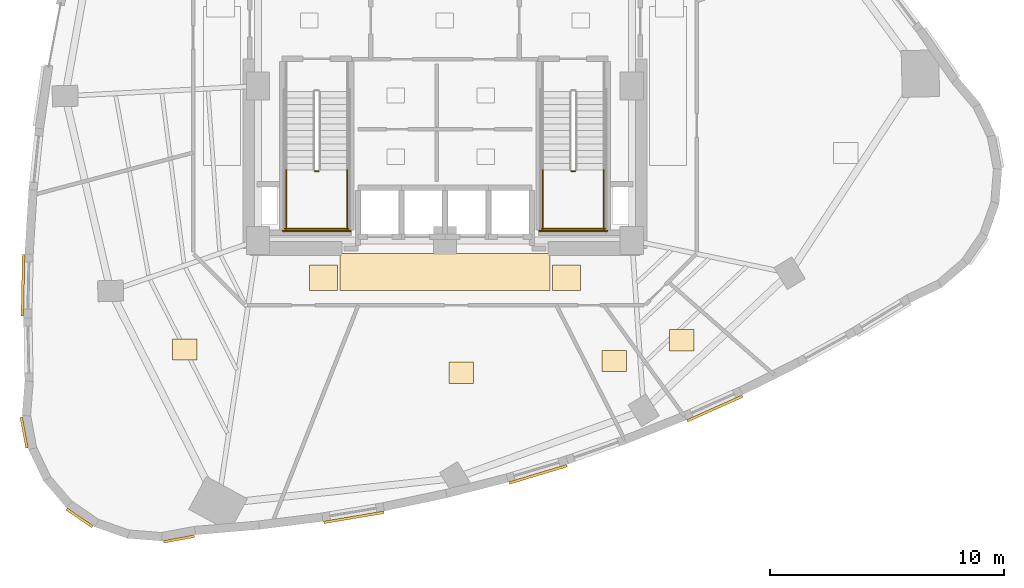
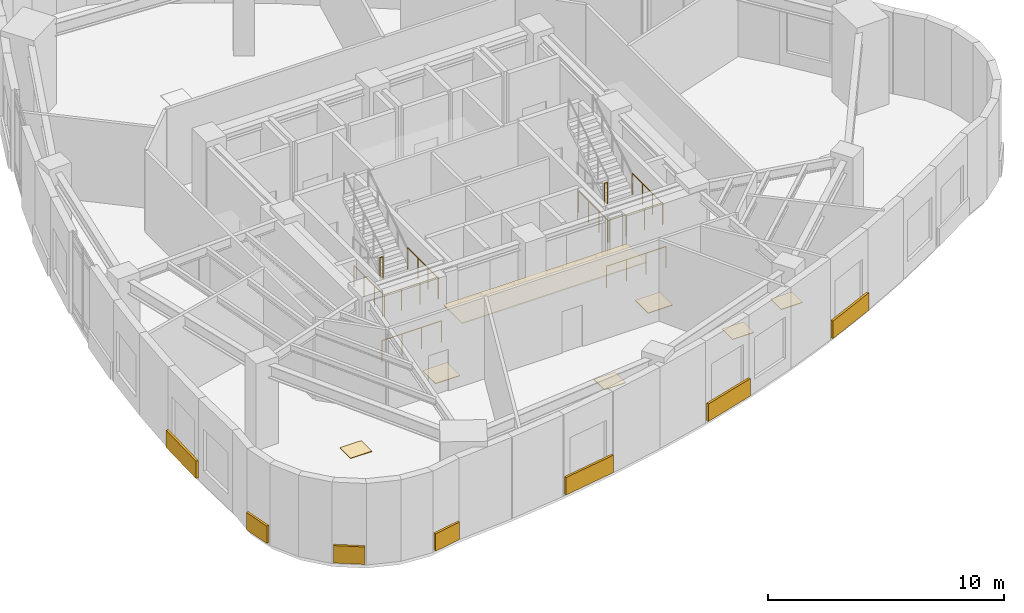
# One storey, part 17 of 19: 14 coverings, 10 railings.
"""IFC4 building model written with IfcOpenShell, lengths in metres."""

from ifc_helpers import new_model, si_unit, direction, frame, origin, origin_2d, place, context, subcontext, project, spatial, rectangle, circle, extrude, material, layer, layer_set, type_object, element, save


model = new_model("IFC4")

# Units and contexts
model_context = context("Model", 3, precision=1e-05, world=origin(), true_north=direction((0.0, 1.0)))
body_context = subcontext(model_context, "Body", "Model", "MODEL_VIEW")
ifc_project = project(units=[si_unit("LENGTHUNIT", "METRE"), si_unit("AREAUNIT", "SQUARE_METRE"), si_unit("VOLUMEUNIT", "CUBIC_METRE"), si_unit("PLANEANGLEUNIT", "RADIAN"), si_unit("MASSUNIT", "GRAM", prefix="KILO")], contexts=[model_context])

# Site, building, storey
site_placement = place(None, origin())
site = spatial("IfcSite", under=ifc_project, at=site_placement, CompositionType="ELEMENT")
building_placement = place(site_placement, origin())
building = spatial("IfcBuilding", under=site, at=building_placement, Name="Ndelora Gate Hotel", CompositionType="ELEMENT")
storey_placement = place(building_placement, frame((0.0, 0.0, 88.25)))
storey = spatial("IfcBuildingStorey", under=building, at=storey_placement, Name="L21", CompositionType="ELEMENT", Elevation=88.25)

# Coverings
ifc_material_1 = material(Name="Perforated Acoustic Gypsum Board", Category="gypsum")
ifc_layer_1 = layer(ifc_material_1, 0.054931640625)
ifc_layer_set_1 = layer_set([ifc_layer_1], Name="Perforated Acoustic Gypsum Board")
covering_type_1 = type_object("IfcCoveringType", Name="COV-CEIL-AC60", PredefinedType="CEILING", material=ifc_layer_set_1)
covering_1_placement = place(storey_placement, frame((0.0, -7.9599609375, 2.65234375), z_axis=(0.0, 0.0, 1.0), x_axis=(1.0, 0.0, 0.0)))
element("IfcCovering", 1, at=covering_1_placement, inside=storey, type_object=covering_type_1, Name="L21 Guest Corridor Acoustic Ceiling S", PredefinedType="CEILING", context=body_context, shape_type="SweptSolid", body=[
    extrude(rectangle(XDim=9.0, YDim=1.580078125, at=origin_2d()), origin(), (0.0, 0.0, 1.0), 0.054931640625),
])
ifc_material_2 = material(Name="Terracotta Fired Clay Brick Slip Cladding", Category="masonry")
ifc_layer_2 = layer(ifc_material_2, 0.110107421875)
ifc_layer_set_2 = layer_set([ifc_layer_2], Name="Terracotta Fired Clay Brick Slip Cladding")
covering_type_2 = type_object("IfcCoveringType", Name="COV-CLAD-BRK", PredefinedType="CLADDING", material=ifc_layer_set_2)
covering_2_placement = place(storey_placement, frame((-18.060546875, -8.530517578125, 0.10009765625), z_axis=(0.0, 0.0, 1.0), x_axis=(0.020418933095, 0.999791511852, 0.0)))
element("IfcCovering", 2, at=covering_2_placement, inside=storey, type_object=covering_type_2, Name="L21 Rounded-Corner Brick Cladding Band 19", PredefinedType="CLADDING", context=body_context, shape_type="SweptSolid", body=[
    extrude(rectangle(XDim=2.6279296875, YDim=0.110107421875, at=origin_2d()), origin(), (0.0, 0.0, 1.0), 0.89990234375),
])
for number, where, z_axis, x_axis, name in (
    (3, (-18.010498046875, -14.8291015625, 0.10009765625), (0.0, 0.0, 1.0), (-0.182235525492, 0.983254907564, 0.0), "L21 Rounded-Corner Brick Cladding Band 22"),
    (4, (-15.64013671875, -18.479248046875, 0.10009765625), (0.0, 0.0, 1.0), (-0.824126188622, 0.566406236925, 0.0), "L21 Rounded-Corner Brick Cladding Band 25"),
    (5, (-11.3828125, -19.38427734375, 0.10009765625), (0.0, 0.0, 1.0), (0.983254907564, 0.182235525492, 0.0), "L21 Rounded-Corner Brick Cladding Band 28"),
):
    element("IfcCovering", number, at=place(storey_placement, frame(where, z_axis=z_axis, x_axis=x_axis)), inside=storey, type_object=covering_type_2, Name=name, PredefinedType="CLADDING", context=body_context, shape_type="SweptSolid", body=[
        extrude(rectangle(XDim=1.3359375, YDim=0.110107421875, at=origin_2d()), origin(), (0.0, 0.0, 1.0), 0.89990234375),
    ])
covering_3_placement = place(storey_placement, frame((-3.89794921875, -18.457275390625, 0.10009765625), z_axis=(0.0, 0.0, 1.0), x_axis=(0.986170136229, 0.165736122828, 0.0)))
element("IfcCovering", 6, at=covering_3_placement, inside=storey, type_object=covering_type_2, Name="L21 Rounded-Corner Brick Cladding Band 31", PredefinedType="CLADDING", context=body_context, shape_type="SweptSolid", body=[
    extrude(rectangle(XDim=2.60791015625, YDim=0.110107421875, at=origin_2d()), origin(), (0.0, 0.0, 1.0), 0.89990234375),
])
covering_4_placement = place(storey_placement, frame((3.985595703125, -16.616943359375, 0.10009765625), z_axis=(0.0, 0.0, 1.0), x_axis=(0.957420330337, 0.288697611798, 0.0)))
element("IfcCovering", 7, at=covering_4_placement, inside=storey, type_object=covering_type_2, Name="L21 Rounded-Corner Brick Cladding Band 34", PredefinedType="CLADDING", context=body_context, shape_type="SweptSolid", body=[
    extrude(rectangle(XDim=2.580078125, YDim=0.110107421875, at=origin_2d()), origin(), (0.0, 0.0, 1.0), 0.89990234375),
])
covering_5_placement = place(storey_placement, frame((11.55126953125, -13.798095703125, 0.10009765625), z_axis=(0.0, 0.0, 1.0), x_axis=(0.913047853423, 0.407852445573, 0.0)))
element("IfcCovering", 8, at=covering_5_placement, inside=storey, type_object=covering_type_2, Name="L21 Rounded-Corner Brick Cladding Band 37", PredefinedType="CLADDING", context=body_context, shape_type="SweptSolid", body=[
    extrude(rectangle(XDim=2.593994140625, YDim=0.110107421875, at=origin_2d()), origin(), (0.0, 0.0, 1.0), 0.89990234375),
])
ifc_material_3 = material(Name="Engineered Highland Oak Parquet", Category="wood")
ifc_layer_3 = layer(ifc_material_3, 0.030029296875)
ifc_layer_set_3 = layer_set([ifc_layer_3], Name="Engineered Highland Oak Parquet")
covering_type_3 = type_object("IfcCoveringType", Name="COV-FLR-PARQ", PredefinedType="FLOORING", material=ifc_layer_set_3)
for number, where, z_axis, x_axis, name in (
    (9, (-11.143798828125, -11.273681640625, 0.0), (0.0, 0.0, 1.0), (1.0, 0.0, 0.0), "L21 Panoramic Reading Library Oak Parquet Flooring"),
    (10, (0.6904296875, -12.267578125, 0.0), (0.0, 0.0, 1.0), (1.0, 0.0, 0.0), "L21 Boutique Travel Shop Oak Parquet Flooring"),
    (11, (7.252197265625, -11.764404296875, 0.0), (0.0, 0.0, 1.0), (1.0, 0.0, 0.0), "L21 Male Public Restroom Oak Parquet Flooring"),
    (12, (10.139892578125, -10.877197265625, 0.0), (0.0, 0.0, 1.0), (1.0, 0.0, 0.0), "L21 Accessible WC Oak Parquet Flooring"),
):
    element("IfcCovering", number, at=place(storey_placement, frame(where, z_axis=z_axis, x_axis=x_axis)), inside=storey, type_object=covering_type_3, Name=name, PredefinedType="FLOORING", context=body_context, shape_type="SweptSolid", body=[
        extrude(rectangle(XDim=1.050048828125, YDim=0.89990234375, at=origin_2d()), origin(), (0.0, 0.0, 1.0), 0.030029296875),
    ])
ifc_material_4 = material(Name="Polished Highland Stone Terrazzo", Category="masonry")
ifc_layer_4 = layer(ifc_material_4, 0.034912109375)
ifc_layer_set_4 = layer_set([ifc_layer_4], Name="Polished Highland Stone Terrazzo")
covering_type_4 = type_object("IfcCoveringType", Name="COV-FLR-TERZ", PredefinedType="FLOORING", material=ifc_layer_set_4)
for number, where, z_axis, x_axis, name in (
    (13, (-5.199951171875, -8.199951171875, 0.0), (0.0, 0.0, 1.0), (1.0, 0.0, 0.0), "L21 Corridor Threshold Terrazzo Inlay SW"),
    (14, (5.199951171875, -8.199951171875, 0.0), (0.0, 0.0, 1.0), (1.0, 0.0, 0.0), "L21 Corridor Threshold Terrazzo Inlay SE"),
):
    element("IfcCovering", number, at=place(storey_placement, frame(where, z_axis=z_axis, x_axis=x_axis)), inside=storey, type_object=covering_type_4, Name=name, PredefinedType="FLOORING", context=body_context, shape_type="SweptSolid", body=[
        extrude(rectangle(XDim=1.199951171875, YDim=1.10009765625, at=origin_2d()), origin(), (0.0, 0.0, 1.0), 0.034912109375),
    ])

# Railings
ifc_material_5 = material(Name="Painted Galvanized Steel Balustrade", Category="steel")
ifc_layer_5 = layer(ifc_material_5, 0.06005859375)
ifc_layer_set_5 = layer_set([ifc_layer_5], Name="Painted Galvanized Steel Balustrade")
railing_type = type_object("IfcRailingType", Name="RL-STAIR-GD", PredefinedType="GUARDRAIL", material=ifc_layer_set_5)
railing_1_placement = place(storey_placement, frame((-5.570068359375, -3.639892578125, 2.25)))
element("IfcRailing", 15, at=railing_1_placement, inside=storey, type_object=railing_type, Name="L21 ST4 stair guard 2", PredefinedType="GUARDRAIL", context=body_context, shape_type="SweptSolid", body=[
    extrude(circle(Radius=0.02392578125, at=origin_2d()), frame((0.0, 0.0, 1.10595703125), z_axis=(1.0, 0.0, 0.0), x_axis=(0.0, 1.0, 0.0)), (0.0, 0.0, 1.0), 0.16015625),
    extrude(circle(Radius=0.02099609375, at=origin_2d()), origin(), (0.0, 0.0, 1.0), 1.081787109375),
    extrude(circle(Radius=0.02099609375, at=origin_2d()), frame((0.16015625, 0.0, 0.0)), (0.0, 0.0, 1.0), 1.081787109375),
])
for number, where, name in (
    (16, (-6.800048828125, -3.590087890625, 2.25), "L21 ST4 stair guard 3"),
    (17, (-4.179931640625, -3.590087890625, 2.25), "L21 ST4 stair guard 4"),
):
    element("IfcRailing", number, at=place(storey_placement, frame(where)), inside=storey, type_object=railing_type, Name=name, PredefinedType="GUARDRAIL", context=body_context, shape_type="SweptSolid", body=[
        extrude(circle(Radius=0.02392578125, at=origin_2d()), frame((0.0, 0.0, 1.10595703125), z_axis=(0.0, -1.0, 0.0), x_axis=(1.0, 0.0, 0.0)), (0.0, 0.0, 1.0), 2.559814453125),
        extrude(circle(Radius=0.02099609375, at=origin_2d()), origin(), (0.0, 0.0, 1.0), 1.081787109375),
        extrude(circle(Radius=0.02099609375, at=origin_2d()), frame((0.0, -0.853271484375, 0.0)), (0.0, 0.0, 1.0), 1.081787109375),
        extrude(circle(Radius=0.02099609375, at=origin_2d()), frame((0.0, -1.70654296875, 0.0)), (0.0, 0.0, 1.0), 1.081787109375),
        extrude(circle(Radius=0.02099609375, at=origin_2d()), frame((0.0, -2.559814453125, 0.0)), (0.0, 0.0, 1.0), 1.081787109375),
    ])
railing_2_placement = place(storey_placement, frame((-6.85009765625, -6.10009765625, 2.25)))
element("IfcRailing", 18, at=railing_2_placement, inside=storey, type_object=railing_type, Name="L21 ST4 stair guard 5", PredefinedType="GUARDRAIL", context=body_context, shape_type="SweptSolid", body=[
    extrude(circle(Radius=0.02392578125, at=origin_2d()), frame((0.0, 0.0, 1.10595703125), z_axis=(1.0, 0.0, 0.0), x_axis=(0.0, 1.0, 0.0)), (0.0, 0.0, 1.0), 2.72021484375),
    extrude(circle(Radius=0.02099609375, at=origin_2d()), origin(), (0.0, 0.0, 1.0), 1.081787109375),
    extrude(circle(Radius=0.02099609375, at=origin_2d()), frame((0.90673828125, 0.0, 0.0)), (0.0, 0.0, 1.0), 1.081787109375),
    extrude(circle(Radius=0.02099609375, at=origin_2d()), frame((1.8134765625, 0.0, 0.0)), (0.0, 0.0, 1.0), 1.081787109375),
    extrude(circle(Radius=0.02099609375, at=origin_2d()), frame((2.72021484375, 0.0, 0.0)), (0.0, 0.0, 1.0), 1.081787109375),
])
railing_3_placement = place(storey_placement, frame((-6.949951171875, -6.199951171875, 0.0)))
element("IfcRailing", 19, at=railing_3_placement, inside=storey, type_object=railing_type, Name="L21 ST4 stair guard 12", PredefinedType="GUARDRAIL", context=body_context, shape_type="SweptSolid", body=[
    extrude(circle(Radius=0.02392578125, at=origin_2d()), frame((0.0, 0.0, 1.10595703125), z_axis=(1.0, 0.0, 0.0), x_axis=(0.0, 1.0, 0.0)), (0.0, 0.0, 1.0), 2.919921875),
    extrude(circle(Radius=0.02099609375, at=origin_2d()), origin(), (0.0, 0.0, 1.0), 1.081787109375),
    extrude(circle(Radius=0.02099609375, at=origin_2d()), frame((0.973388671875, 0.0, 0.0)), (0.0, 0.0, 1.0), 1.081787109375),
    extrude(circle(Radius=0.02099609375, at=origin_2d()), frame((1.946533203125, 0.0, 0.0)), (0.0, 0.0, 1.0), 1.081787109375),
    extrude(circle(Radius=0.02099609375, at=origin_2d()), frame((2.919921875, 0.0, 0.0)), (0.0, 0.0, 1.0), 1.081787109375),
])
railing_4_placement = place(storey_placement, frame((5.409912109375, -3.639892578125, 2.25)))
element("IfcRailing", 20, at=railing_4_placement, inside=storey, type_object=railing_type, Name="L21 ST5 stair guard 2", PredefinedType="GUARDRAIL", context=body_context, shape_type="SweptSolid", body=[
    extrude(circle(Radius=0.02392578125, at=origin_2d()), frame((0.0, 0.0, 1.10595703125), z_axis=(1.0, 0.0, 0.0), x_axis=(0.0, 1.0, 0.0)), (0.0, 0.0, 1.0), 0.16015625),
    extrude(circle(Radius=0.02099609375, at=origin_2d()), origin(), (0.0, 0.0, 1.0), 1.081787109375),
    extrude(circle(Radius=0.02099609375, at=origin_2d()), frame((0.16015625, 0.0, 0.0)), (0.0, 0.0, 1.0), 1.081787109375),
])
for number, where, name in (
    (21, (4.179931640625, -3.590087890625, 2.25), "L21 ST5 stair guard 3"),
    (22, (6.800048828125, -3.590087890625, 2.25), "L21 ST5 stair guard 4"),
):
    element("IfcRailing", number, at=place(storey_placement, frame(where)), inside=storey, type_object=railing_type, Name=name, PredefinedType="GUARDRAIL", context=body_context, shape_type="SweptSolid", body=[
        extrude(circle(Radius=0.02392578125, at=origin_2d()), frame((0.0, 0.0, 1.10595703125), z_axis=(0.0, -1.0, 0.0), x_axis=(1.0, 0.0, 0.0)), (0.0, 0.0, 1.0), 2.559814453125),
        extrude(circle(Radius=0.02099609375, at=origin_2d()), origin(), (0.0, 0.0, 1.0), 1.081787109375),
        extrude(circle(Radius=0.02099609375, at=origin_2d()), frame((0.0, -0.853271484375, 0.0)), (0.0, 0.0, 1.0), 1.081787109375),
        extrude(circle(Radius=0.02099609375, at=origin_2d()), frame((0.0, -1.70654296875, 0.0)), (0.0, 0.0, 1.0), 1.081787109375),
        extrude(circle(Radius=0.02099609375, at=origin_2d()), frame((0.0, -2.559814453125, 0.0)), (0.0, 0.0, 1.0), 1.081787109375),
    ])
railing_5_placement = place(storey_placement, frame((4.1298828125, -6.10009765625, 2.25)))
element("IfcRailing", 23, at=railing_5_placement, inside=storey, type_object=railing_type, Name="L21 ST5 stair guard 5", PredefinedType="GUARDRAIL", context=body_context, shape_type="SweptSolid", body=[
    extrude(circle(Radius=0.02392578125, at=origin_2d()), frame((0.0, 0.0, 1.10595703125), z_axis=(1.0, 0.0, 0.0), x_axis=(0.0, 1.0, 0.0)), (0.0, 0.0, 1.0), 2.72021484375),
    extrude(circle(Radius=0.02099609375, at=origin_2d()), origin(), (0.0, 0.0, 1.0), 1.081787109375),
    extrude(circle(Radius=0.02099609375, at=origin_2d()), frame((0.90673828125, 0.0, 0.0)), (0.0, 0.0, 1.0), 1.081787109375),
    extrude(circle(Radius=0.02099609375, at=origin_2d()), frame((1.8134765625, 0.0, 0.0)), (0.0, 0.0, 1.0), 1.081787109375),
    extrude(circle(Radius=0.02099609375, at=origin_2d()), frame((2.72021484375, 0.0, 0.0)), (0.0, 0.0, 1.0), 1.081787109375),
])
railing_6_placement = place(storey_placement, frame((4.030029296875, -6.199951171875, 0.0)))
element("IfcRailing", 24, at=railing_6_placement, inside=storey, type_object=railing_type, Name="L21 ST5 stair guard 12", PredefinedType="GUARDRAIL", context=body_context, shape_type="SweptSolid", body=[
    extrude(circle(Radius=0.02392578125, at=origin_2d()), frame((0.0, 0.0, 1.10595703125), z_axis=(1.0, 0.0, 0.0), x_axis=(0.0, 1.0, 0.0)), (0.0, 0.0, 1.0), 2.919921875),
    extrude(circle(Radius=0.02099609375, at=origin_2d()), origin(), (0.0, 0.0, 1.0), 1.081787109375),
    extrude(circle(Radius=0.02099609375, at=origin_2d()), frame((0.973388671875, 0.0, 0.0)), (0.0, 0.0, 1.0), 1.081787109375),
    extrude(circle(Radius=0.02099609375, at=origin_2d()), frame((1.946533203125, 0.0, 0.0)), (0.0, 0.0, 1.0), 1.081787109375),
    extrude(circle(Radius=0.02099609375, at=origin_2d()), frame((2.919921875, 0.0, 0.0)), (0.0, 0.0, 1.0), 1.081787109375),
])

save(model, "model.ifc")
